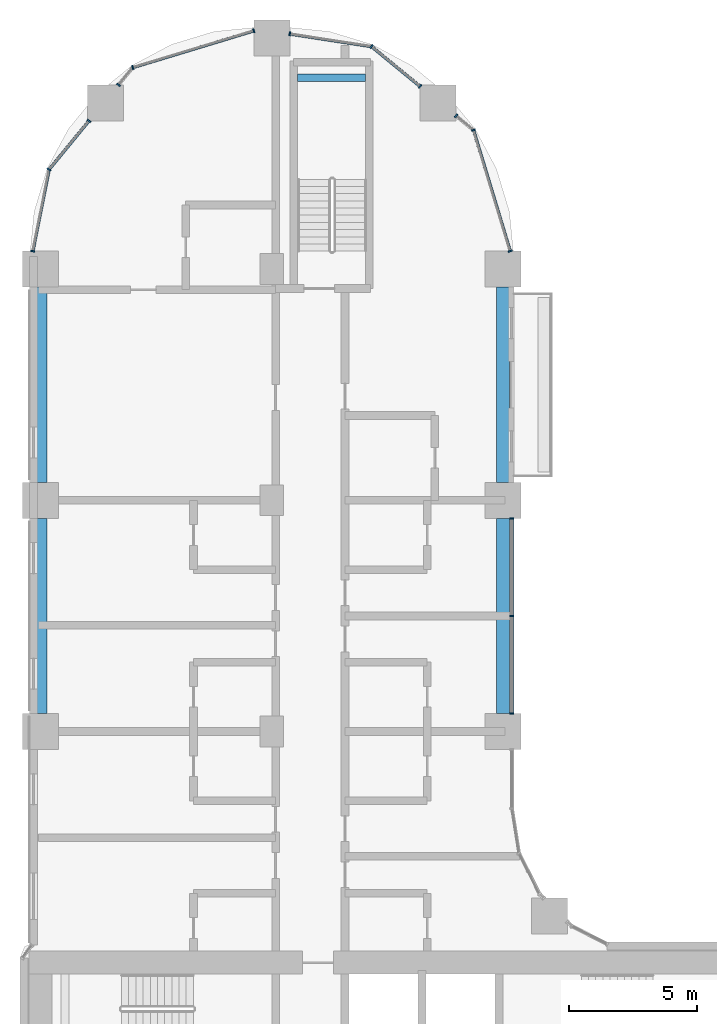
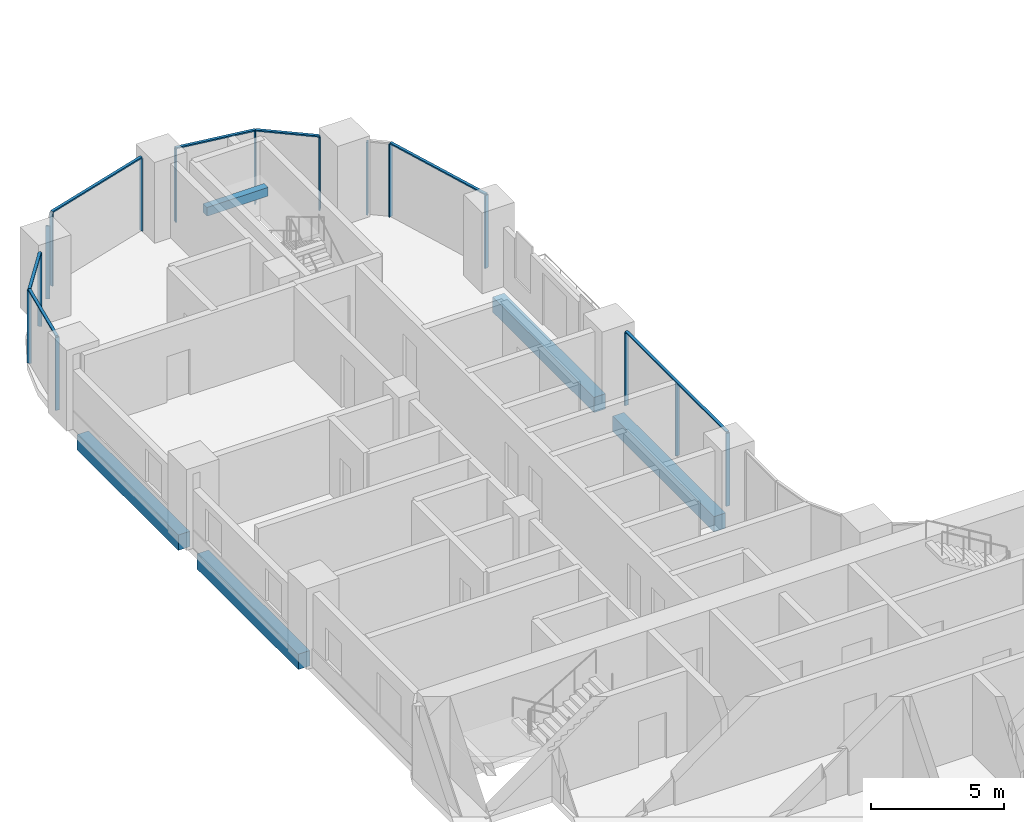
# One storey, part 4 of 30: 22 members, 5 beams, 5 elements without a shape of their own.
"""IFC4 building model written with IfcOpenShell, lengths in metres."""

from ifc_helpers import new_model, si_unit, direction, frame, origin, origin_2d, place, context, subcontext, project, spatial, rectangle, extrude, material, material_profile, profile_set, type_object, element, aggregate, save


model = new_model("IFC4")

# Units and contexts
model_context = context("Model", 3, precision=1e-05, world=origin(), true_north=direction((0.0, 1.0)))
body_context = subcontext(model_context, "Body", "Model", "MODEL_VIEW")
ifc_project = project(units=[si_unit("LENGTHUNIT", "METRE"), si_unit("AREAUNIT", "SQUARE_METRE"), si_unit("VOLUMEUNIT", "CUBIC_METRE"), si_unit("PLANEANGLEUNIT", "RADIAN"), si_unit("MASSUNIT", "GRAM", prefix="KILO")], contexts=[model_context])

# Site, building, storey
site_placement = place(None, origin())
site = spatial("IfcSite", under=ifc_project, at=site_placement, CompositionType="ELEMENT")
building_placement = place(site_placement, origin())
building = spatial("IfcBuilding", under=site, at=building_placement, Name="Ogive Portal Towers", CompositionType="ELEMENT")
storey_placement = place(building_placement, frame((0.0, 0.0, 37.199951171875)))
storey = spatial("IfcBuildingStorey", under=building, at=storey_placement, Name="L07", CompositionType="ELEMENT", Elevation=37.199951171875)

# Beam
ifc_material_1 = material(Name="Concrete C40/50", Category="concrete")
ifc_material_profile_1 = material_profile(ifc_material_1, rectangle(XDim=0.300048828125, YDim=0.39990234375, at=origin_2d()), Name="RC 300x400")
ifc_profile_set_1 = profile_set([ifc_material_profile_1], Name="Concrete C40/50")
beam_type_1 = type_object("IfcBeamType", Name="BEAM RC 300x400", PredefinedType="BEAM", material=ifc_profile_set_1)
beam_placement = place(storey_placement, frame((41.5, 73.949951171875, 1.449951171875), z_axis=(1.0, 0.0, 0.0), x_axis=(0.0, 1.0, 0.0)))
element("IfcBeam", 1, at=beam_placement, inside=storey, type_object=beam_type_1, Name="Landing beam L07", PredefinedType="BEAM", context=body_context, shape_type="SweptSolid", body=[
    extrude(rectangle(XDim=0.300048828125, YDim=0.39990234375, at=origin_2d()), origin(), (0.0, 0.0, 1.0), 2.64990234375),
])

# Curtain wall, members
ifc_material_2 = material(Name="Glass, clear low-iron insulated glazing", Category="glass")
curtain_wall_type = type_object("IfcCurtainWallType", Name="CW FRONT RIBBON 4500", PredefinedType="NOTDEFINED", material=ifc_material_2)
curtain_wall_1_placement = place(storey_placement, origin())
curtain_wall_1 = element("IfcCurtainWall", 2, at=curtain_wall_1_placement, inside=storey, type_object=curtain_wall_type, Name="A:L07:f06:cw0~1", PredefinedType="NOTDEFINED")
ifc_material_3 = material(Name="Aluminium 6063 anodised", Category="aluminium")
ifc_material_profile_2 = material_profile(ifc_material_3, rectangle(XDim=0.159912109375, YDim=0.06005859375, at=origin_2d()), Name="AL 60x160")
ifc_profile_set_2 = profile_set([ifc_material_profile_2], Name="Aluminium 6063 anodised")
member_type_1 = type_object("IfcMemberType", Name="CW MULLION 60x160", PredefinedType="MULLION", material=ifc_profile_set_2)
member_1_placement = place(storey_placement, frame((49.844970703125, 49.199951171875, 0.0), z_axis=(0.0, 0.0, 1.0), x_axis=(-1.0, 0.0, 0.0)))
member_1 = element("IfcMember", 3, at=member_1_placement, type_object=member_type_1, Name="mullion", PredefinedType="MULLION", context=body_context, shape_type="SweptSolid", body=[
    extrude(rectangle(XDim=0.159912109375, YDim=0.06005859375, at=origin_2d()), origin(), (0.0, 0.0, 1.0), 3.340087890625),
])
member_2_placement = place(storey_placement, frame((49.844970703125, 53.0, 0.0), z_axis=(0.0, 0.0, 1.0), x_axis=(-1.0, 0.0, 0.0)))
member_2 = element("IfcMember", 4, at=member_2_placement, type_object=member_type_1, Name="mullion", PredefinedType="MULLION", context=body_context, shape_type="SweptSolid", body=[
    extrude(rectangle(XDim=0.159912109375, YDim=0.06005859375, at=origin_2d()), origin(), (0.0, 0.0, 1.0), 3.340087890625),
])
member_3_placement = place(storey_placement, frame((49.844970703125, 56.800048828125, 0.0), z_axis=(0.0, 0.0, 1.0), x_axis=(-1.0, 0.0, 0.0)))
member_3 = element("IfcMember", 5, at=member_3_placement, type_object=member_type_1, Name="mullion", PredefinedType="MULLION", context=body_context, shape_type="SweptSolid", body=[
    extrude(rectangle(XDim=0.159912109375, YDim=0.06005859375, at=origin_2d()), origin(), (0.0, 0.0, 1.0), 3.340087890625),
])

curtain_wall_2_placement = place(storey_placement, origin())
curtain_wall_2 = element("IfcCurtainWall", 6, at=curtain_wall_2_placement, inside=storey, type_object=curtain_wall_type, Name="A:L07:f07:cwa~0", PredefinedType="NOTDEFINED")
member_4_placement = place(storey_placement, frame((49.78076171875, 67.199951171875, 0.0), z_axis=(0.0, 0.0, 1.0), x_axis=(-0.956940335732, -0.290284677254, 0.0)))
member_4 = element("IfcMember", 7, at=member_4_placement, type_object=member_type_1, Name="mullion", PredefinedType="MULLION", context=body_context, shape_type="SweptSolid", body=[
    extrude(rectangle(XDim=0.159912109375, YDim=0.06005859375, at=origin_2d()), origin(), (0.0, 0.0, 1.0), 3.340087890625),
])
member_5_placement = place(storey_placement, frame((48.351318359375, 71.912109375, 0.0), z_axis=(0.0, 0.0, 1.0), x_axis=(-0.956940335732, -0.290284677254, 0.0)))
member_5 = element("IfcMember", 8, at=member_5_placement, type_object=member_type_1, Name="mullion", PredefinedType="MULLION", context=body_context, shape_type="SweptSolid", body=[
    extrude(rectangle(XDim=0.159912109375, YDim=0.06005859375, at=origin_2d()), origin(), (0.0, 0.0, 1.0), 3.340087890625),
])
member_6_placement = place(storey_placement, frame((47.673095703125, 72.46875, 0.0), z_axis=(0.0, 0.0, 1.0), x_axis=(-0.634393284164, -0.773010453363, 0.0)))
member_6 = element("IfcMember", 9, at=member_6_placement, type_object=member_type_1, Name="mullion", PredefinedType="MULLION", context=body_context, shape_type="SweptSolid", body=[
    extrude(rectangle(XDim=0.159912109375, YDim=0.06005859375, at=origin_2d()), origin(), (0.0, 0.0, 1.0), 3.340087890625),
])

curtain_wall_3_placement = place(storey_placement, origin())
curtain_wall_3 = element("IfcCurtainWall", 10, at=curtain_wall_3_placement, inside=storey, type_object=curtain_wall_type, Name="A:L07:f07:cwa~1", PredefinedType="NOTDEFINED")
member_7_placement = place(storey_placement, frame((46.27294921875, 73.61767578125, 0.0), z_axis=(0.0, 0.0, 1.0), x_axis=(-0.634393284164, -0.773010453363, 0.0)))
member_7 = element("IfcMember", 11, at=member_7_placement, type_object=member_type_1, Name="mullion", PredefinedType="MULLION", context=body_context, shape_type="SweptSolid", body=[
    extrude(rectangle(XDim=0.159912109375, YDim=0.06005859375, at=origin_2d()), origin(), (0.0, 0.0, 1.0), 3.340087890625),
])
member_8_placement = place(storey_placement, frame((44.381591796875, 75.169921875, 0.0), z_axis=(0.0, 0.0, 1.0), x_axis=(-0.634393284164, -0.773010453363, 0.0)))
member_8 = element("IfcMember", 12, at=member_8_placement, type_object=member_type_1, Name="mullion", PredefinedType="MULLION", context=body_context, shape_type="SweptSolid", body=[
    extrude(rectangle(XDim=0.159912109375, YDim=0.06005859375, at=origin_2d()), origin(), (0.0, 0.0, 1.0), 3.340087890625),
])
member_9_placement = place(storey_placement, frame((41.199951171875, 75.659423828125, 0.0), z_axis=(0.0, 0.0, 1.0), x_axis=(-0.15207363432, -0.988369166731, 0.0)))
member_9 = element("IfcMember", 13, at=member_9_placement, type_object=member_type_1, Name="mullion", PredefinedType="MULLION", context=body_context, shape_type="SweptSolid", body=[
    extrude(rectangle(XDim=0.159912109375, YDim=0.06005859375, at=origin_2d()), origin(), (0.0, 0.0, 1.0), 3.340087890625),
])

curtain_wall_4_placement = place(storey_placement, origin())
curtain_wall_4 = element("IfcCurtainWall", 14, at=curtain_wall_4_placement, inside=storey, type_object=curtain_wall_type, Name="A:L07:f07:cwa~2", PredefinedType="NOTDEFINED")
member_10_placement = place(storey_placement, frame((39.800048828125, 75.78076171875, 0.0), z_axis=(0.0, 0.0, 1.0), x_axis=(0.290284677254, -0.956940335732, 0.0)))
member_10 = element("IfcMember", 15, at=member_10_placement, type_object=member_type_1, Name="mullion", PredefinedType="MULLION", context=body_context, shape_type="SweptSolid", body=[
    extrude(rectangle(XDim=0.159912109375, YDim=0.06005859375, at=origin_2d()), origin(), (0.0, 0.0, 1.0), 3.340087890625),
])
member_11_placement = place(storey_placement, frame((35.087890625, 74.351318359375, 0.0), z_axis=(0.0, 0.0, 1.0), x_axis=(0.290284677254, -0.956940335732, 0.0)))
member_11 = element("IfcMember", 16, at=member_11_placement, type_object=member_type_1, Name="mullion", PredefinedType="MULLION", context=body_context, shape_type="SweptSolid", body=[
    extrude(rectangle(XDim=0.159912109375, YDim=0.06005859375, at=origin_2d()), origin(), (0.0, 0.0, 1.0), 3.340087890625),
])
member_12_placement = place(storey_placement, frame((34.53125, 73.673095703125, 0.0), z_axis=(0.0, 0.0, 1.0), x_axis=(0.773010453363, -0.634393284164, 0.0)))
member_12 = element("IfcMember", 17, at=member_12_placement, type_object=member_type_1, Name="mullion", PredefinedType="MULLION", context=body_context, shape_type="SweptSolid", body=[
    extrude(rectangle(XDim=0.159912109375, YDim=0.06005859375, at=origin_2d()), origin(), (0.0, 0.0, 1.0), 3.340087890625),
])

curtain_wall_5_placement = place(storey_placement, origin())
curtain_wall_5 = element("IfcCurtainWall", 18, at=curtain_wall_5_placement, inside=storey, type_object=curtain_wall_type, Name="A:L07:f07:cwa~3", PredefinedType="NOTDEFINED")
member_13_placement = place(storey_placement, frame((33.38232421875, 72.27294921875, 0.0), z_axis=(0.0, 0.0, 1.0), x_axis=(0.773010453363, -0.634393284164, 0.0)))
member_13 = element("IfcMember", 19, at=member_13_placement, type_object=member_type_1, Name="mullion", PredefinedType="MULLION", context=body_context, shape_type="SweptSolid", body=[
    extrude(rectangle(XDim=0.159912109375, YDim=0.06005859375, at=origin_2d()), origin(), (0.0, 0.0, 1.0), 3.340087890625),
])
member_14_placement = place(storey_placement, frame((31.828857421875, 70.380126953125, 0.0), z_axis=(0.0, 0.0, 1.0), x_axis=(0.773010453363, -0.634393284164, 0.0)))
member_14 = element("IfcMember", 20, at=member_14_placement, type_object=member_type_1, Name="mullion", PredefinedType="MULLION", context=body_context, shape_type="SweptSolid", body=[
    extrude(rectangle(XDim=0.159912109375, YDim=0.06005859375, at=origin_2d()), origin(), (0.0, 0.0, 1.0), 3.340087890625),
])
member_15_placement = place(storey_placement, frame((31.1962890625, 67.199951171875, 0.0), z_axis=(0.0, 0.0, 1.0), x_axis=(0.980785280403, -0.195090322016, 0.0)))
member_15 = element("IfcMember", 21, at=member_15_placement, type_object=member_type_1, Name="mullion", PredefinedType="MULLION", context=body_context, shape_type="SweptSolid", body=[
    extrude(rectangle(XDim=0.159912109375, YDim=0.06005859375, at=origin_2d()), origin(), (0.0, 0.0, 1.0), 3.340087890625),
])

# Member
ifc_material_profile_3 = material_profile(ifc_material_3, rectangle(XDim=0.1201171875, YDim=0.06005859375, at=origin_2d()), Name="AL 120x60")
ifc_profile_set_3 = profile_set([ifc_material_profile_3], Name="Aluminium 6063 anodised")
member_type_2 = type_object("IfcMemberType", Name="CW TRANSOM 60x120", PredefinedType="USERDEFINED", material=ifc_profile_set_3)
member_16_placement = place(storey_placement, frame((49.844970703125, 49.199951171875, 3.3701171875), z_axis=(0.0, 1.0, 0.0), x_axis=(-1.0, 0.0, 0.0)))
member_16 = element("IfcMember", 22, at=member_16_placement, type_object=member_type_2, Name="transom", ObjectType="TRANSOM", PredefinedType="USERDEFINED", context=body_context, shape_type="SweptSolid", body=[
    extrude(rectangle(XDim=0.1201171875, YDim=0.06005859375, at=origin_2d()), origin(), (0.0, 0.0, 1.0), 7.60009765625),
])

aggregate(curtain_wall_1, [member_16, member_1, member_2, member_3])

member_17_placement = place(storey_placement, frame((49.78076171875, 67.199951171875, 3.3701171875), z_axis=(-0.290289474403, 0.95693888052, 0.0), x_axis=(-0.95693888052, -0.290289474403, 0.0)))
member_17 = element("IfcMember", 23, at=member_17_placement, type_object=member_type_2, Name="transom", ObjectType="TRANSOM", PredefinedType="USERDEFINED", context=body_context, shape_type="SweptSolid", body=[
    extrude(rectangle(XDim=0.1201171875, YDim=0.06005859375, at=origin_2d()), origin(), (0.0, 0.0, 1.0), 4.92431640625),
])

aggregate(curtain_wall_2, [member_17, member_4, member_5, member_6])

member_18_placement = place(storey_placement, frame((46.27294921875, 73.61767578125, 3.3701171875), z_axis=(-0.773000598062, 0.634405292692, 0.0), x_axis=(-0.634405292692, -0.773000598062, 0.0)))
member_18 = element("IfcMember", 24, at=member_18_placement, type_object=member_type_2, Name="transom", ObjectType="TRANSOM", PredefinedType="USERDEFINED", context=body_context, shape_type="SweptSolid", body=[
    extrude(rectangle(XDim=0.1201171875, YDim=0.06005859375, at=origin_2d()), origin(), (0.0, 0.0, 1.0), 2.44677734375),
])

member_19_placement = place(storey_placement, frame((44.381591796875, 75.169921875, 3.3701171875), z_axis=(-0.98837082085, 0.152062883349, 0.0), x_axis=(-0.152062883349, -0.98837082085, 0.0)))
member_19 = element("IfcMember", 25, at=member_19_placement, type_object=member_type_2, Name="transom", ObjectType="TRANSOM", PredefinedType="USERDEFINED", context=body_context, shape_type="SweptSolid", body=[
    extrude(rectangle(XDim=0.1201171875, YDim=0.06005859375, at=origin_2d()), origin(), (0.0, 0.0, 1.0), 3.218994140625),
])

aggregate(curtain_wall_3, [member_18, member_19, member_7, member_8, member_9])

member_20_placement = place(storey_placement, frame((39.800048828125, 75.78076171875, 3.3701171875), z_axis=(-0.95693888052, -0.290289474403, 0.0), x_axis=(0.290289474403, -0.95693888052, 0.0)))
member_20 = element("IfcMember", 26, at=member_20_placement, type_object=member_type_2, Name="transom", ObjectType="TRANSOM", PredefinedType="USERDEFINED", context=body_context, shape_type="SweptSolid", body=[
    extrude(rectangle(XDim=0.1201171875, YDim=0.06005859375, at=origin_2d()), origin(), (0.0, 0.0, 1.0), 4.92431640625),
])

aggregate(curtain_wall_4, [member_20, member_10, member_11, member_12])

member_21_placement = place(storey_placement, frame((33.38232421875, 72.27294921875, 3.3701171875), z_axis=(-0.634409806791, -0.772996893297, 0.0), x_axis=(0.772996893297, -0.634409806791, 0.0)))
member_21 = element("IfcMember", 27, at=member_21_placement, type_object=member_type_2, Name="transom", ObjectType="TRANSOM", PredefinedType="USERDEFINED", context=body_context, shape_type="SweptSolid", body=[
    extrude(rectangle(XDim=0.1201171875, YDim=0.06005859375, at=origin_2d()), origin(), (0.0, 0.0, 1.0), 2.44873046875),
])

member_22_placement = place(storey_placement, frame((31.828857421875, 70.380126953125, 3.3701171875), z_axis=(-0.195087968263, -0.980785748591, 0.0), x_axis=(0.980785748591, -0.195087968263, 0.0)))
member_22 = element("IfcMember", 28, at=member_22_placement, type_object=member_type_2, Name="transom", ObjectType="TRANSOM", PredefinedType="USERDEFINED", context=body_context, shape_type="SweptSolid", body=[
    extrude(rectangle(XDim=0.1201171875, YDim=0.06005859375, at=origin_2d()), origin(), (0.0, 0.0, 1.0), 3.242431640625),
])

aggregate(curtain_wall_5, [member_21, member_22, member_13, member_14, member_15])

# Beams
ifc_material_profile_4 = material_profile(ifc_material_1, rectangle(XDim=0.5, YDim=0.699951171875, at=origin_2d()), Name="RC 500x700")
ifc_profile_set_4 = profile_set([ifc_material_profile_4], Name="Concrete C40/50")
beam_type_2 = type_object("IfcBeamType", Name="SPANDREL BEAM RC 500x700", PredefinedType="BEAM", material=ifc_profile_set_4)
for number, where, z_axis, x_axis, name in (
    (29, (31.5, 49.199951171875, -0.64990234375), (0.0, 1.0, 0.0), (-1.0, 0.0, 0.0), "Spandrel beam L07"),
    (30, (31.5, 58.199951171875, -0.64990234375), (0.0, 1.0, 0.0), (-1.0, 0.0, 0.0), "Spandrel beam L07"),
    (31, (49.5, 65.800048828125, -0.64990234375), (0.0, -1.0, 0.0), (1.0, 0.0, 0.0), "Spandrel beam L07"),
    (32, (49.5, 56.800048828125, -0.64990234375), (0.0, -1.0, 0.0), (1.0, 0.0, 0.0), "Spandrel beam L07"),
):
    element("IfcBeam", number, at=place(storey_placement, frame(where, z_axis=z_axis, x_axis=x_axis)), inside=storey, type_object=beam_type_2, Name=name, PredefinedType="BEAM", context=body_context, shape_type="SweptSolid", body=[
        extrude(rectangle(XDim=0.5, YDim=0.699951171875, at=origin_2d()), origin(), (0.0, 0.0, 1.0), 7.60009765625),
    ])

save(model, "model.ifc")
